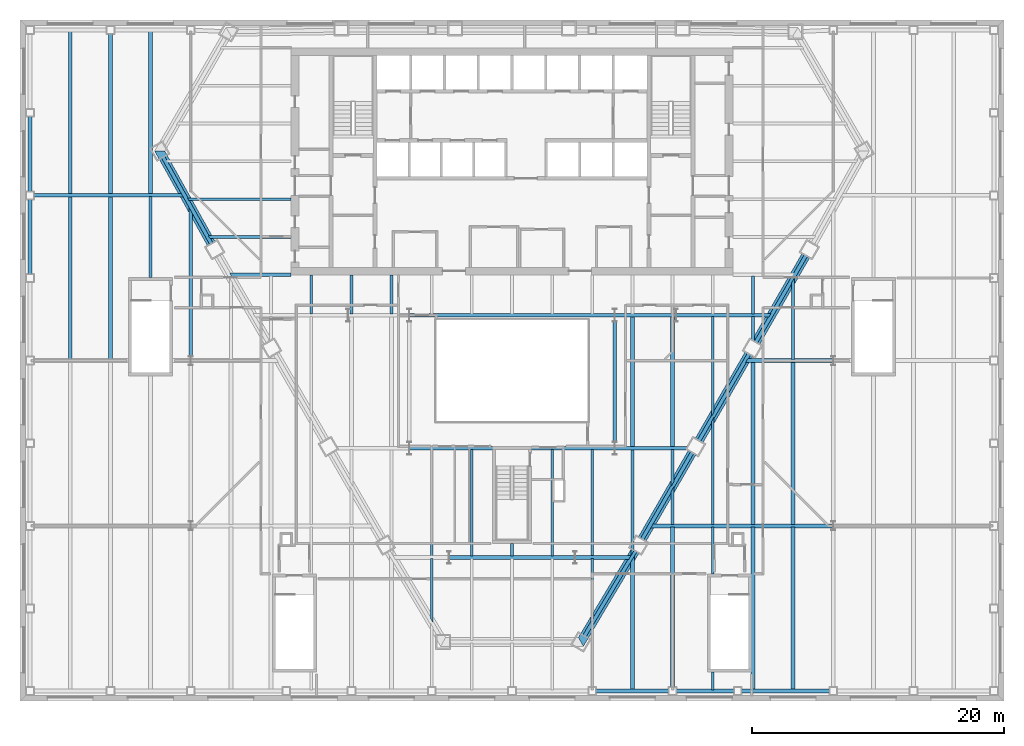
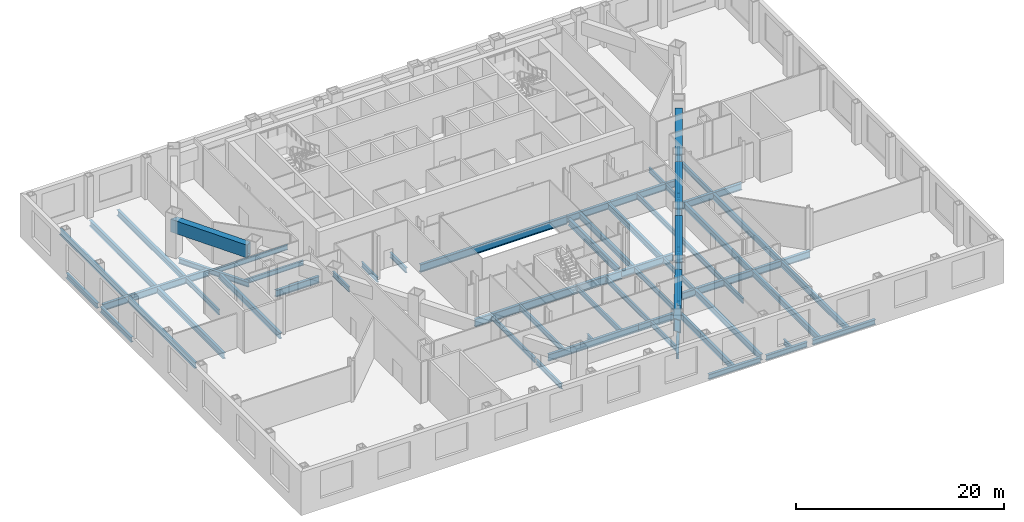
# One storey, part 5 of 17: 64 beams.
"""IFC4 building model written with IfcOpenShell, lengths in metres."""

import ifcopenshell
import ifcopenshell.guid

model = None  # the IFC model being written
_history = None  # IfcOwnerHistory: only IFC2X3 demands one
_inside = {}  # id of a spatial element -> (the spatial element, [elements in it])
_under = {}  # id of a project, library or spatial element -> (it, [spatial elements below it])
_declared = {}  # id of a project -> (the project, [libraries it declares])
_typed = {}  # id of a type object -> (the type object, [elements of that type])
_made_of = {}  # id of a material, layer set ... -> (it, [elements and type objects made of it])


def new_model(schema):
    """Start an empty IFC model of exactly this schema.

    Asked for "IFC4X3", IfcOpenShell would pick the latest addendum, in which some entities
    have other attributes; the version numbers below select the first issue.
    IFC2X3 requires an IfcOwnerHistory on every rooted entity: one is made here for all.
    """
    global model, _history
    if schema == "IFC4X3":
        model = ifcopenshell.file(schema_version=(4, 3, 0, 0))
    else:
        model = ifcopenshell.file(schema=schema)
    _inside.clear()
    _under.clear()
    _declared.clear()
    _typed.clear()
    _made_of.clear()
    _history = None
    if model.schema == "IFC2X3":
        org = make("IfcOrganization", Name="unknown")
        user = make(
            "IfcPersonAndOrganization",
            ThePerson=make("IfcPerson", FamilyName="unknown"),
            TheOrganization=org,
        )
        app = make(
            "IfcApplication",
            ApplicationDeveloper=org,
            Version="unknown",
            ApplicationFullName="unknown",
            ApplicationIdentifier="unknown",
        )
        _history = make(
            "IfcOwnerHistory",
            OwningUser=user,
            OwningApplication=app,
            ChangeAction="ADDED",
            CreationDate=0,
        )
    return model


def make(cls, **values):
    """One entity of the class cls with the attributes given. An attribute that is None is left unset."""
    return model.create_entity(
        cls, **{name: value for name, value in values.items() if value is not None}
    )


def rooted(cls, **values):
    """An entity with a GlobalId (a new one), such as an element, a storey or a relation."""
    return make(cls, GlobalId=ifcopenshell.guid.new(), OwnerHistory=_history, **values)


def si_unit(unit_type, name, prefix=None):
    """IfcSIUnit, for example si_unit("LENGTHUNIT", "METRE", prefix="MILLI")."""
    return make("IfcSIUnit", UnitType=unit_type, Prefix=prefix, Name=name)


def assignment(units):
    """IfcUnitAssignment: the units of a project."""
    return None if units is None else make("IfcUnitAssignment", Units=units)


def point(xyz):
    """IfcCartesianPoint."""
    return None if xyz is None else make("IfcCartesianPoint", Coordinates=xyz)


def direction(xyz):
    """IfcDirection."""
    return None if xyz is None else make("IfcDirection", DirectionRatios=xyz)


def frame(location, z_axis=None, x_axis=None):
    """IfcAxis2Placement3D, a coordinate frame: its origin and axes. An axis left out is left unset."""
    return make(
        "IfcAxis2Placement3D",
        Location=point(location),
        Axis=direction(z_axis),
        RefDirection=direction(x_axis),
    )


def frame_2d(location, x_axis=None):
    """IfcAxis2Placement2D, a coordinate frame in the plane: its origin and x axis."""
    return make(
        "IfcAxis2Placement2D", Location=point(location), RefDirection=direction(x_axis)
    )


def origin():
    """The frame at (0, 0, 0) with its axes left unset."""
    return frame((0.0, 0.0, 0.0))


def origin_2d():
    """The frame at (0, 0) in the plane with its x axis left unset."""
    return frame_2d((0.0, 0.0))


def place(relative_to, where):
    """IfcLocalPlacement: puts the frame where relative to a parent placement (None: the world)."""
    return make(
        "IfcLocalPlacement", PlacementRelTo=relative_to, RelativePlacement=where
    )


def context(
    kind, dimensions, precision=None, world=None, true_north=None, identifier=None
):
    """IfcGeometricRepresentationContext, for example the 3D "Model" context."""
    return make(
        "IfcGeometricRepresentationContext",
        ContextIdentifier=identifier,
        ContextType=kind,
        CoordinateSpaceDimension=dimensions,
        Precision=precision,
        WorldCoordinateSystem=world,
        TrueNorth=true_north,
    )


def subcontext(parent, identifier, kind, view, scale=None):
    """IfcGeometricRepresentationSubContext, for example "Body" below "Model"."""
    return make(
        "IfcGeometricRepresentationSubContext",
        ContextIdentifier=identifier,
        ContextType=kind,
        ParentContext=parent,
        TargetScale=scale,
        TargetView=view,
    )


def project(units=None, contexts=None):
    """IfcProject with its units and contexts."""
    return rooted(
        "IfcProject",
        Name="project",
        RepresentationContexts=contexts,
        UnitsInContext=assignment(units),
    )


def spatial(cls, under=None, at=None, **own):
    """A site, building, storey or space (cls), placed at a placement, below another one or the project."""
    s = rooted(cls, ObjectPlacement=at, **own)
    if under is not None:
        _under.setdefault(under.id(), (under, []))[1].append(s)
    return s


def profile(cls, at=None, kind="AREA", **sizes):
    """A parametric profile (cls). Its sizes go by their IFC names, for example OverallWidth=200.0."""
    return make(cls, ProfileType=kind, Position=at, **sizes)


def hollow_rectangle(**sizes):
    """IfcRectangleHollowProfileDef."""
    return profile("IfcRectangleHollowProfileDef", **sizes)


def i_section(**sizes):
    """IfcIShapeProfileDef."""
    return profile("IfcIShapeProfileDef", **sizes)


def extrude(swept, where, along, depth):
    """IfcExtrudedAreaSolid: the profile swept, set in the frame where, extruded along a direction by depth."""
    return make(
        "IfcExtrudedAreaSolid",
        SweptArea=swept,
        Position=where,
        ExtrudedDirection=direction(along),
        Depth=depth,
    )


def clip(a, b, op="DIFFERENCE"):
    """IfcBooleanClippingResult: the solid a cut by the half space b."""
    return make(
        "IfcBooleanClippingResult", Operator=op, FirstOperand=a, SecondOperand=b
    )


def halfspace(plane, agree):
    """IfcHalfSpaceSolid: all space on one side of the plane z = 0 of the frame plane."""
    return make(
        "IfcHalfSpaceSolid",
        BaseSurface=make("IfcPlane", Position=plane),
        AgreementFlag=agree,
    )


def shape(context_of_items, identifier, shape_type, items):
    """IfcShapeRepresentation: the items that make up one representation, for example the "Body"."""
    return make(
        "IfcShapeRepresentation",
        ContextOfItems=context_of_items,
        RepresentationIdentifier=identifier,
        RepresentationType=shape_type,
        Items=items,
    )


def material(Name=None, Category=None):
    """IfcMaterial."""
    return make("IfcMaterial", Name=Name, Category=Category)


def material_profile(
    of_material, cross_section, Name=None, Category=None, Priority=None
):
    """IfcMaterialProfile: a cross section and its material."""
    return make(
        "IfcMaterialProfile",
        Name=Name,
        Material=of_material,
        Profile=cross_section,
        Priority=Priority,
        Category=Category,
    )


def profile_set(profiles, Name=None, composite=None):
    """IfcMaterialProfileSet."""
    return make(
        "IfcMaterialProfileSet",
        Name=Name,
        MaterialProfiles=profiles,
        CompositeProfile=composite,
    )


def made_of(thing, what):
    """Note that an element or type object is made of a material, layer set ...; save() writes the relation."""
    if what is not None:
        _made_of.setdefault(what.id(), (what, []))[1].append(thing)
    return thing


def type_object(cls, material=None, **own):
    """A type object (cls), such as IfcWallType, which elements share."""
    return made_of(rooted(cls, **own), material)


def element(
    cls,
    number,
    at=None,
    inside=None,
    cuts=None,
    type_object=None,
    material=None,
    context=None,
    identifier="Body",
    shape_type=None,
    held_by="IfcProductDefinitionShape",
    body=None,
    shapes=None,
    **own,
):
    """One element of the class cls, such as IfcWall. Its Tag is "e" and its number.

    at: its placement. inside: the storey or other place that contains it. cuts: it is an
    opening in that element (IfcRelVoidsElement). A single representation is given by context,
    identifier, shape_type and body (its items); several are given by shapes. held_by: the class
    of the entity that holds the representations. save() writes the other relations.
    """
    e = rooted(cls, Tag="e%d" % number, ObjectPlacement=at, **own)
    if body is not None:
        shapes = [shape(context, identifier, shape_type, body)]
    if shapes is not None:
        e.Representation = make(held_by, Representations=shapes)
    if inside is not None:
        _inside.setdefault(inside.id(), (inside, []))[1].append(e)
    if cuts is not None:
        rooted(
            "IfcRelVoidsElement", RelatingBuildingElement=cuts, RelatedOpeningElement=e
        )
    if type_object is not None:
        _typed.setdefault(type_object.id(), (type_object, []))[1].append(e)
    return made_of(e, material)


def aggregate(whole, parts):
    """IfcRelAggregates: a whole, such as a stair, and the parts it consists of."""
    return rooted("IfcRelAggregates", RelatingObject=whole, RelatedObjects=parts)


def save(model, path):
    """Write the relations noted so far, then the file.

    IfcRelAggregates (storeys below a building ...), IfcRelContainedInSpatialStructure (elements
    in a storey), IfcRelDefinesByType, IfcRelAssociatesMaterial and IfcRelDeclares: one each for
    every whole, place, type object, material and project.
    """
    for whole, parts in _under.values():
        aggregate(whole, parts)
    for where, things in _inside.values():
        rooted(
            "IfcRelContainedInSpatialStructure",
            RelatedElements=things,
            RelatingStructure=where,
        )
    for kind, things in _typed.values():
        rooted("IfcRelDefinesByType", RelatedObjects=things, RelatingType=kind)
    for what, things in _made_of.values():
        rooted("IfcRelAssociatesMaterial", RelatedObjects=things, RelatingMaterial=what)
    for by, libraries in _declared.values():
        rooted("IfcRelDeclares", RelatingContext=by, RelatedDefinitions=libraries)
    model.write(path)


model = new_model("IFC4")

# Units and contexts
model_context = context("Model", 3, precision=1e-05, world=origin(), true_north=direction((0.0, 1.0)))
body_context = subcontext(model_context, "Body", "Model", "MODEL_VIEW")
ifc_project = project(units=[si_unit("LENGTHUNIT", "METRE"), si_unit("AREAUNIT", "SQUARE_METRE"), si_unit("VOLUMEUNIT", "CUBIC_METRE"), si_unit("PLANEANGLEUNIT", "RADIAN"), si_unit("MASSUNIT", "GRAM", prefix="KILO")], contexts=[model_context])

# Site, building, storey
site_placement = place(None, origin())
site = spatial("IfcSite", under=ifc_project, at=site_placement, CompositionType="ELEMENT")
building_placement = place(site_placement, origin())
building = spatial("IfcBuilding", under=site, at=building_placement, Name="Njiva Tower", CompositionType="ELEMENT")
storey_placement = place(building_placement, frame((0.0, 0.0, 23.7)))
storey = spatial("IfcBuildingStorey", under=building, at=storey_placement, Name="L04", CompositionType="ELEMENT", Elevation=23.7)

# Beams
ifc_material = material(Name="Steel S355 J2", Category="steel")
ifc_material_profile_1 = material_profile(ifc_material, i_section(OverallWidth=0.21, OverallDepth=0.55, WebThickness=0.0111, FlangeThickness=0.0172, at=origin_2d()), Name="IPE 550")
ifc_profile_set_1 = profile_set([ifc_material_profile_1], Name="Steel S355 J2")
beam_type_1 = type_object("IfcBeamType", Name="B10 Floor beam to the core IPE 550", PredefinedType="BEAM", material=ifc_profile_set_1)
beam_1_placement = place(storey_placement, frame((-24.091, 3.0, -0.495), z_axis=(1.0, 0.0, 0.0), x_axis=(0.0, 1.0, 0.0)))
element("IfcBeam", 1, at=beam_1_placement, inside=storey, type_object=beam_type_1, Name="Floor beam to the core L04-B005", PredefinedType="BEAM", context=body_context, shape_type="Clipping", body=[
    clip(extrude(i_section(OverallWidth=0.21, OverallDepth=0.55, WebThickness=0.0111, FlangeThickness=0.0172, at=origin_2d()), origin(), (0.0, 0.0, 1.0), 6.591), halfspace(frame((-0.0244, 0.0, 0.0929), z_axis=(-0.487051738924, 0.0, -0.87337311821), x_axis=(0.0, -1.0, 0.0)), False)),
])
beam_2_placement = place(storey_placement, frame((-25.764, 6.0, -0.495), z_axis=(1.0, 0.0, 0.0), x_axis=(0.0, 1.0, 0.0)))
element("IfcBeam", 2, at=beam_2_placement, inside=storey, type_object=beam_type_1, Name="Floor beam to the core L04-B003", PredefinedType="BEAM", context=body_context, shape_type="Clipping", body=[
    clip(extrude(i_section(OverallWidth=0.21, OverallDepth=0.55, WebThickness=0.0111, FlangeThickness=0.0172, at=origin_2d()), origin(), (0.0, 0.0, 1.0), 8.264), halfspace(frame((-0.0244, 0.0, 0.093), z_axis=(-0.487051738924, 0.0, -0.87337311821), x_axis=(0.0, -1.0, 0.0)), False)),
])
ifc_material_profile_2 = material_profile(ifc_material, i_section(OverallWidth=0.3, OverallDepth=0.69, WebThickness=0.0145, FlangeThickness=0.027, at=origin_2d()), Name="HEA 700")
ifc_profile_set_2 = profile_set([ifc_material_profile_2], Name="Steel S355 J2")
beam_type_2 = type_object("IfcBeamType", Name="B12 Long-span floor joist HEA 700", PredefinedType="JOIST", material=ifc_profile_set_2)
for number, where, z_axis, x_axis, name in (
    (3, (-35.017, 19.3, -0.565), (0.0, -1.0, 0.0), (1.0, 0.0, 0.0), "Long-span floor joist L04-B039"),
    (4, (-35.017, 6.2, -0.565), (0.0, -1.0, 0.0), (1.0, 0.0, 0.0), "Long-span floor joist L04-B038"),
):
    element("IfcBeam", number, at=place(storey_placement, frame(where, z_axis=z_axis, x_axis=x_axis)), inside=storey, type_object=beam_type_2, Name=name, PredefinedType="JOIST", context=body_context, shape_type="SweptSolid", body=[
        extrude(i_section(OverallWidth=0.3, OverallDepth=0.69, WebThickness=0.0145, FlangeThickness=0.027, at=origin_2d()), origin(), (0.0, 0.0, 1.0), 12.9),
    ])
beam_3_placement = place(storey_placement, frame((-31.833, 19.1, -0.565), z_axis=(0.0, -1.0, 0.0), x_axis=(1.0, 0.0, 0.0)))
element("IfcBeam", 5, at=beam_3_placement, inside=storey, type_object=beam_type_2, Name="Long-span floor joist L04-B043", PredefinedType="JOIST", context=body_context, shape_type="SweptSolid", body=[
    extrude(i_section(OverallWidth=0.3, OverallDepth=0.69, WebThickness=0.0145, FlangeThickness=0.027, at=origin_2d()), origin(), (0.0, 0.0, 1.0), 12.7),
])
for number, where, z_axis, x_axis, name in (
    (6, (-31.833, 6.2, -0.565), (0.0, -1.0, 0.0), (1.0, 0.0, 0.0), "Long-span floor joist L04-B042"),
    (7, (-28.65, 19.3, -0.565), (0.0, -1.0, 0.0), (1.0, 0.0, 0.0), "Long-span floor joist L04-B047"),
):
    element("IfcBeam", number, at=place(storey_placement, frame(where, z_axis=z_axis, x_axis=x_axis)), inside=storey, type_object=beam_type_2, Name=name, PredefinedType="JOIST", context=body_context, shape_type="SweptSolid", body=[
        extrude(i_section(OverallWidth=0.3, OverallDepth=0.69, WebThickness=0.0145, FlangeThickness=0.027, at=origin_2d()), origin(), (0.0, 0.0, 1.0), 12.9),
    ])
beam_4_placement = place(storey_placement, frame((-25.467, 5.288, -0.565), z_axis=(0.0, -1.0, 0.0), x_axis=(1.0, 0.0, 0.0)))
element("IfcBeam", 8, at=beam_4_placement, inside=storey, type_object=beam_type_2, Name="Long-span floor joist L04-B050", PredefinedType="JOIST", context=body_context, shape_type="SweptSolid", body=[
    extrude(i_section(OverallWidth=0.3, OverallDepth=0.69, WebThickness=0.0145, FlangeThickness=0.027, at=origin_2d()), origin(), (0.0, 0.0, 1.0), 11.78),
])
beam_5_placement = place(storey_placement, frame((9.55, -3.3, -0.565), z_axis=(0.0, -1.0, 0.0), x_axis=(1.0, 0.0, 0.0)))
element("IfcBeam", 9, at=beam_5_placement, inside=storey, type_object=beam_type_2, Name="Long-span floor joist L04-B095", PredefinedType="JOIST", context=body_context, shape_type="SweptSolid", body=[
    extrude(i_section(OverallWidth=0.3, OverallDepth=0.69, WebThickness=0.0145, FlangeThickness=0.027, at=origin_2d()), origin(), (0.0, 0.0, 1.0), 10.35),
])
beam_6_placement = place(storey_placement, frame((9.55, -22.243, -0.565), z_axis=(0.0, -1.0, 0.0), x_axis=(1.0, 0.0, 0.0)))
element("IfcBeam", 10, at=beam_6_placement, inside=storey, type_object=beam_type_2, Name="Long-span floor joist L04-B093", PredefinedType="JOIST", context=body_context, shape_type="Clipping", body=[
    clip(extrude(i_section(OverallWidth=0.3, OverallDepth=0.69, WebThickness=0.0145, FlangeThickness=0.027, at=origin_2d()), origin(), (0.0, 0.0, 1.0), 10.657), halfspace(frame((-0.0429, 0.0, 0.2758), z_axis=(-0.858483100847, 0.0, -0.512841852388), x_axis=(0.0, -1.0, 0.0)), False)),
])
beam_7_placement = place(storey_placement, frame((12.733, -3.3, -0.565), z_axis=(0.0, -1.0, 0.0), x_axis=(1.0, 0.0, 0.0)))
element("IfcBeam", 11, at=beam_7_placement, inside=storey, type_object=beam_type_2, Name="Long-span floor joist L04-B100", PredefinedType="JOIST", context=body_context, shape_type="SweptSolid", body=[
    extrude(i_section(OverallWidth=0.3, OverallDepth=0.69, WebThickness=0.0145, FlangeThickness=0.027, at=origin_2d()), origin(), (0.0, 0.0, 1.0), 10.35),
])
beam_8_placement = place(storey_placement, frame((12.733, -20.001, -0.565), z_axis=(0.0, -1.0, 0.0), x_axis=(1.0, 0.0, 0.0)))
element("IfcBeam", 12, at=beam_8_placement, inside=storey, type_object=beam_type_2, Name="Long-span floor joist L04-B097", PredefinedType="JOIST", context=body_context, shape_type="SweptSolid", body=[
    extrude(i_section(OverallWidth=0.3, OverallDepth=0.69, WebThickness=0.0145, FlangeThickness=0.027, at=origin_2d()), origin(), (0.0, 0.0, 1.0), 12.699),
])
for number, where, z_axis, x_axis, name in (
    (13, (19.1, -6.9, -0.565), (0.0, -1.0, 0.0), (1.0, 0.0, 0.0), "Long-span floor joist L04-B108"),
    (14, (19.1, -20.001, -0.565), (0.0, -1.0, 0.0), (1.0, 0.0, 0.0), "Long-span floor joist L04-B107"),
    (15, (22.283, -6.9, -0.565), (0.0, -1.0, 0.0), (1.0, 0.0, 0.0), "Long-span floor joist L04-B112"),
    (16, (22.283, -20.001, -0.565), (0.0, -1.0, 0.0), (1.0, 0.0, 0.0), "Long-span floor joist L04-B111"),
):
    element("IfcBeam", number, at=place(storey_placement, frame(where, z_axis=z_axis, x_axis=x_axis)), inside=storey, type_object=beam_type_2, Name=name, PredefinedType="JOIST", context=body_context, shape_type="SweptSolid", body=[
        extrude(i_section(OverallWidth=0.3, OverallDepth=0.69, WebThickness=0.0145, FlangeThickness=0.027, at=origin_2d()), origin(), (0.0, 0.0, 1.0), 12.899),
    ])
ifc_material_profile_3 = material_profile(ifc_material, i_section(OverallWidth=0.22, OverallDepth=0.6, WebThickness=0.012, FlangeThickness=0.019, at=origin_2d()), Name="IPE 600")
ifc_profile_set_3 = profile_set([ifc_material_profile_3], Name="Steel S355 J2")
beam_type_3 = type_object("IfcBeamType", Name="B13 Floor joist IPE 600", PredefinedType="JOIST", material=ifc_profile_set_3)
beam_9_placement = place(storey_placement, frame((-28.65, 6.2, -0.52), z_axis=(0.0, -1.0, 0.0), x_axis=(1.0, 0.0, 0.0)))
element("IfcBeam", 17, at=beam_9_placement, inside=storey, type_object=beam_type_3, Name="Floor joist L04-B046", PredefinedType="JOIST", context=body_context, shape_type="SweptSolid", body=[
    extrude(i_section(OverallWidth=0.22, OverallDepth=0.6, WebThickness=0.012, FlangeThickness=0.019, at=origin_2d()), origin(), (0.0, 0.0, 1.0), 6.4),
])
beam_10_placement = place(storey_placement, frame((-6.367, -13.851, -0.52), z_axis=(0.0, -1.0, 0.0), x_axis=(1.0, 0.0, 0.0)))
element("IfcBeam", 18, at=beam_10_placement, inside=storey, type_object=beam_type_3, Name="Floor joist L04-B075", PredefinedType="JOIST", context=body_context, shape_type="SweptSolid", body=[
    extrude(i_section(OverallWidth=0.22, OverallDepth=0.6, WebThickness=0.012, FlangeThickness=0.019, at=origin_2d()), origin(), (0.0, 0.0, 1.0), 8.449),
])
beam_11_placement = place(storey_placement, frame((-6.367, -22.5, -0.52), z_axis=(0.0, -1.0, 0.0), x_axis=(1.0, 0.0, 0.0)))
element("IfcBeam", 19, at=beam_11_placement, inside=storey, type_object=beam_type_3, Name="Floor joist L04-B074", PredefinedType="JOIST", context=body_context, shape_type="Clipping", body=[
    clip(extrude(i_section(OverallWidth=0.22, OverallDepth=0.6, WebThickness=0.012, FlangeThickness=0.019, at=origin_2d()), origin(), (0.0, 0.0, 1.0), 5.09), halfspace(frame((-0.0426, 0.0, 4.8139), z_axis=(-0.858483100847, 0.0, 0.512841852388), x_axis=(0.0, 1.0, 0.0)), False)),
])
for number, where, z_axis, x_axis, name in (
    (20, (-3.183, -13.851, -0.52), (0.0, -1.0, 0.0), (1.0, 0.0, 0.0), "Floor joist L04-B079"),
    (21, (3.183, -13.851, -0.52), (0.0, -1.0, 0.0), (1.0, 0.0, 0.0), "Floor joist L04-B087"),
    (22, (6.367, -13.851, -0.52), (0.0, -1.0, 0.0), (1.0, 0.0, 0.0), "Floor joist L04-B091"),
):
    element("IfcBeam", number, at=place(storey_placement, frame(where, z_axis=z_axis, x_axis=x_axis)), inside=storey, type_object=beam_type_3, Name=name, PredefinedType="JOIST", context=body_context, shape_type="SweptSolid", body=[
        extrude(i_section(OverallWidth=0.22, OverallDepth=0.6, WebThickness=0.012, FlangeThickness=0.019, at=origin_2d()), origin(), (0.0, 0.0, 1.0), 8.449),
    ])
beam_12_placement = place(storey_placement, frame((6.367, -22.5, -0.52), z_axis=(0.0, -1.0, 0.0), x_axis=(1.0, 0.0, 0.0)))
element("IfcBeam", 23, at=beam_12_placement, inside=storey, type_object=beam_type_3, Name="Floor joist L04-B090", PredefinedType="JOIST", context=body_context, shape_type="Clipping", body=[
    clip(extrude(i_section(OverallWidth=0.22, OverallDepth=0.6, WebThickness=0.012, FlangeThickness=0.019, at=origin_2d()), origin(), (0.0, 0.0, 1.0), 5.09), halfspace(frame((0.0426, 0.0, 4.8139), z_axis=(0.858483100847, 0.0, 0.512841852388), x_axis=(0.0, 1.0, 0.0)), False)),
])
beam_13_placement = place(storey_placement, frame((9.55, -13.85, -0.52), z_axis=(0.0, -1.0, 0.0), x_axis=(1.0, 0.0, 0.0)))
element("IfcBeam", 24, at=beam_13_placement, inside=storey, type_object=beam_type_3, Name="Floor joist L04-B094", PredefinedType="JOIST", context=body_context, shape_type="Clipping", body=[
    clip(extrude(i_section(OverallWidth=0.22, OverallDepth=0.6, WebThickness=0.012, FlangeThickness=0.019, at=origin_2d()), origin(), (0.0, 0.0, 1.0), 8.411), halfspace(frame((0.0429, 0.0, 8.1351), z_axis=(0.858483100847, 0.0, 0.512841852388), x_axis=(0.0, 1.0, 0.0)), False)),
])
beam_14_placement = place(storey_placement, frame((15.917, -3.3, -0.52), z_axis=(0.0, -1.0, 0.0), x_axis=(1.0, 0.0, 0.0)))
element("IfcBeam", 25, at=beam_14_placement, inside=storey, type_object=beam_type_3, Name="Floor joist L04-B105", PredefinedType="JOIST", context=body_context, shape_type="Clipping", body=[
    clip(extrude(i_section(OverallWidth=0.22, OverallDepth=0.6, WebThickness=0.012, FlangeThickness=0.019, at=origin_2d()), origin(), (0.0, 0.0, 1.0), 7.964), halfspace(frame((0.043, 0.0, 7.6783), z_axis=(0.866026552831, 0.0, 0.499998009787), x_axis=(0.0, 1.0, 0.0)), False)),
])
beam_15_placement = place(storey_placement, frame((15.917, -11.242, -0.52), z_axis=(0.0, -1.0, 0.0), x_axis=(1.0, 0.0, 0.0)))
element("IfcBeam", 26, at=beam_15_placement, inside=storey, type_object=beam_type_3, Name="Floor joist L04-B104", PredefinedType="JOIST", context=body_context, shape_type="Clipping", body=[
    clip(extrude(i_section(OverallWidth=0.22, OverallDepth=0.6, WebThickness=0.012, FlangeThickness=0.019, at=origin_2d()), origin(), (0.0, 0.0, 1.0), 8.557), halfspace(frame((-0.0436, 0.0, 0.2863), z_axis=(-0.866026552831, 0.0, -0.499998009787), x_axis=(0.0, -1.0, 0.0)), False)),
])
beam_16_placement = place(storey_placement, frame((22.283, -0.215, -0.52), z_axis=(0.0, -1.0, 0.0), x_axis=(1.0, 0.0, 0.0)))
element("IfcBeam", 27, at=beam_16_placement, inside=storey, type_object=beam_type_3, Name="Floor joist L04-B113", PredefinedType="JOIST", context=body_context, shape_type="Clipping", body=[
    clip(extrude(i_section(OverallWidth=0.22, OverallDepth=0.6, WebThickness=0.012, FlangeThickness=0.019, at=origin_2d()), origin(), (0.0, 0.0, 1.0), 6.485), halfspace(frame((-0.043, 0.0, 0.2859), z_axis=(-0.866026552831, 0.0, -0.499998009787), x_axis=(0.0, -1.0, 0.0)), False)),
])
ifc_material_profile_4 = material_profile(ifc_material, i_section(OverallWidth=0.22, OverallDepth=0.6, WebThickness=0.012, FlangeThickness=0.019, at=origin_2d()), Name="IPE 600")
ifc_profile_set_4 = profile_set([ifc_material_profile_4], Name="Steel S355 J2")
beam_type_4 = type_object("IfcBeamType", Name="B14 Short-span floor joist IPE 600", PredefinedType="JOIST", material=ifc_profile_set_4)
for number, where, z_axis, x_axis, name in (
    (28, (-15.917, -0.005, -0.52), (0.0, -1.0, 0.0), (1.0, 0.0, 0.0), "Short-span floor joist L04-B063"),
    (29, (-12.733, -0.005, -0.52), (0.0, -1.0, 0.0), (1.0, 0.0, 0.0), "Short-span floor joist L04-B068"),
    (30, (-9.55, -0.005, -0.52), (0.0, -1.0, 0.0), (1.0, 0.0, 0.0), "Short-span floor joist L04-B072"),
):
    element("IfcBeam", number, at=place(storey_placement, frame(where, z_axis=z_axis, x_axis=x_axis)), inside=storey, type_object=beam_type_4, Name=name, PredefinedType="JOIST", context=body_context, shape_type="SweptSolid", body=[
        extrude(i_section(OverallWidth=0.22, OverallDepth=0.6, WebThickness=0.012, FlangeThickness=0.019, at=origin_2d()), origin(), (0.0, 0.0, 1.0), 3.095),
    ])
beam_17_placement = place(storey_placement, frame((0.0, -21.3, -0.52), z_axis=(0.0, -1.0, 0.0), x_axis=(1.0, 0.0, 0.0)))
element("IfcBeam", 31, at=beam_17_placement, inside=storey, type_object=beam_type_4, Name="Short-span floor joist L04-B083", PredefinedType="JOIST", context=body_context, shape_type="SweptSolid", body=[
    extrude(i_section(OverallWidth=0.22, OverallDepth=0.6, WebThickness=0.012, FlangeThickness=0.019, at=origin_2d()), origin(), (0.0, 0.0, 1.0), 1.0),
])
beam_18_placement = place(storey_placement, frame((12.733, -13.85, -0.52), z_axis=(0.0, -1.0, 0.0), x_axis=(1.0, 0.0, 0.0)))
element("IfcBeam", 32, at=beam_18_placement, inside=storey, type_object=beam_type_4, Name="Short-span floor joist L04-B099", PredefinedType="JOIST", context=body_context, shape_type="Clipping", body=[
    clip(extrude(i_section(OverallWidth=0.22, OverallDepth=0.6, WebThickness=0.012, FlangeThickness=0.019, at=origin_2d()), origin(), (0.0, 0.0, 1.0), 2.928), halfspace(frame((0.0436, 0.0, 2.642), z_axis=(0.866026552831, 0.0, 0.499998009787), x_axis=(0.0, 1.0, 0.0)), False)),
])
beam_19_placement = place(storey_placement, frame((12.733, -16.756, -0.52), z_axis=(0.0, -1.0, 0.0), x_axis=(1.0, 0.0, 0.0)))
element("IfcBeam", 33, at=beam_19_placement, inside=storey, type_object=beam_type_4, Name="Short-span floor joist L04-B098", PredefinedType="JOIST", context=body_context, shape_type="Clipping", body=[
    clip(extrude(i_section(OverallWidth=0.22, OverallDepth=0.6, WebThickness=0.012, FlangeThickness=0.019, at=origin_2d()), origin(), (0.0, 0.0, 1.0), 3.043), halfspace(frame((-0.043, 0.0, 0.286), z_axis=(-0.866026552831, 0.0, -0.499998009787), x_axis=(0.0, -1.0, 0.0)), False)),
])
beam_20_placement = place(storey_placement, frame((15.917, -20.001, -0.52), z_axis=(0.0, -1.0, 0.0), x_axis=(1.0, 0.0, 0.0)))
element("IfcBeam", 34, at=beam_20_placement, inside=storey, type_object=beam_type_4, Name="Short-span floor joist L04-B103", PredefinedType="JOIST", context=body_context, shape_type="SweptSolid", body=[
    extrude(i_section(OverallWidth=0.22, OverallDepth=0.6, WebThickness=0.012, FlangeThickness=0.019, at=origin_2d()), origin(), (0.0, 0.0, 1.0), 3.699),
])
beam_21_placement = place(storey_placement, frame((15.917, -31.5, -0.52), z_axis=(0.0, -1.0, 0.0), x_axis=(1.0, 0.0, 0.0)))
element("IfcBeam", 35, at=beam_21_placement, inside=storey, type_object=beam_type_4, Name="Short-span floor joist L04-B102", PredefinedType="JOIST", context=body_context, shape_type="SweptSolid", body=[
    extrude(i_section(OverallWidth=0.22, OverallDepth=0.6, WebThickness=0.012, FlangeThickness=0.019, at=origin_2d()), origin(), (0.0, 0.0, 1.0), 1.4),
])
beam_22_placement = place(storey_placement, frame((19.1, -0.1, -0.52), z_axis=(0.0, -1.0, 0.0), x_axis=(1.0, 0.0, 0.0)))
element("IfcBeam", 36, at=beam_22_placement, inside=storey, type_object=beam_type_4, Name="Short-span floor joist L04-B110", PredefinedType="JOIST", context=body_context, shape_type="SweptSolid", body=[
    extrude(i_section(OverallWidth=0.22, OverallDepth=0.6, WebThickness=0.012, FlangeThickness=0.019, at=origin_2d()), origin(), (0.0, 0.0, 1.0), 3.0),
])
beam_23_placement = place(storey_placement, frame((19.1, -3.3, -0.52), z_axis=(0.0, -1.0, 0.0), x_axis=(1.0, 0.0, 0.0)))
element("IfcBeam", 37, at=beam_23_placement, inside=storey, type_object=beam_type_4, Name="Short-span floor joist L04-B109", PredefinedType="JOIST", context=body_context, shape_type="Clipping", body=[
    clip(extrude(i_section(OverallWidth=0.22, OverallDepth=0.6, WebThickness=0.012, FlangeThickness=0.019, at=origin_2d()), origin(), (0.0, 0.0, 1.0), 1.978), halfspace(frame((-0.025, 0.0, 1.88), z_axis=(-0.499998009787, 0.0, 0.866026552831), x_axis=(0.0, 1.0, 0.0)), False)),
])
ifc_material_profile_5 = material_profile(ifc_material, i_section(OverallWidth=0.3, OverallDepth=0.6, WebThickness=0.0155, FlangeThickness=0.03, at=origin_2d()), Name="HEB 600")
ifc_profile_set_5 = profile_set([ifc_material_profile_5], Name="Steel S355 J2")
beam_type_5 = type_object("IfcBeamType", Name="B2 Spandrel beam HEB 600", PredefinedType="SPANDREL", material=ifc_profile_set_5)
beam_24_placement = place(storey_placement, frame((-27.654, 9.326, -0.52), z_axis=(0.487083289159, -0.873355522924, 0.0), x_axis=(0.873355522924, 0.487083289159, 0.0)))
element("IfcBeam", 38, at=beam_24_placement, inside=storey, type_object=beam_type_5, Name="Spandrel beam L04-B146", PredefinedType="SPANDREL", context=body_context, shape_type="SweptSolid", body=[
    extrude(i_section(OverallWidth=0.3, OverallDepth=0.6, WebThickness=0.0155, FlangeThickness=0.03, at=origin_2d()), origin(), (0.0, 0.0, 1.0), 7.8364),
])
beam_25_placement = place(storey_placement, frame((5.744, -28.623, -0.52), z_axis=(0.512880901609, 0.858459772362, 0.0), x_axis=(-0.858459772362, 0.512880901609, 0.0)))
element("IfcBeam", 39, at=beam_25_placement, inside=storey, type_object=beam_type_5, Name="Spandrel beam L04-B164", PredefinedType="SPANDREL", context=body_context, shape_type="SweptSolid", body=[
    extrude(i_section(OverallWidth=0.3, OverallDepth=0.6, WebThickness=0.0155, FlangeThickness=0.03, at=origin_2d()), origin(), (0.0, 0.0, 1.0), 7.8361),
])
beam_26_placement = place(storey_placement, frame((10.321, -20.946, -0.52), z_axis=(0.499930249268, 0.866065670643, 0.0), x_axis=(-0.866065670643, 0.499930249268, 0.0)))
element("IfcBeam", 40, at=beam_26_placement, inside=storey, type_object=beam_type_5, Name="Spandrel beam L04-B167", PredefinedType="SPANDREL", context=body_context, shape_type="SweptSolid", body=[
    extrude(i_section(OverallWidth=0.3, OverallDepth=0.6, WebThickness=0.0155, FlangeThickness=0.03, at=origin_2d()), origin(), (0.0, 0.0, 1.0), 7.9151),
])
beam_27_placement = place(storey_placement, frame((14.828, -13.139, -0.52), z_axis=(0.499970304126, 0.866042548026, 0.0), x_axis=(-0.866042548026, 0.499970304126, 0.0)))
element("IfcBeam", 41, at=beam_27_placement, inside=storey, type_object=beam_type_5, Name="Spandrel beam L04-B170", PredefinedType="SPANDREL", context=body_context, shape_type="SweptSolid", body=[
    extrude(i_section(OverallWidth=0.3, OverallDepth=0.6, WebThickness=0.0155, FlangeThickness=0.03, at=origin_2d()), origin(), (0.0, 0.0, 1.0), 7.9165),
])
beam_28_placement = place(storey_placement, frame((19.336, -5.331, -0.52), z_axis=(0.500025004646, 0.866010966864, 0.0), x_axis=(-0.866010966864, 0.500025004646, 0.0)))
element("IfcBeam", 42, at=beam_28_placement, inside=storey, type_object=beam_type_5, Name="Spandrel beam L04-B172", PredefinedType="SPANDREL", context=body_context, shape_type="SweptSolid", body=[
    extrude(i_section(OverallWidth=0.3, OverallDepth=0.6, WebThickness=0.0155, FlangeThickness=0.03, at=origin_2d()), origin(), (0.0, 0.0, 1.0), 7.9156),
])
for number, where, z_axis, x_axis, name in (
    (43, (-38.2, 12.55, -0.52), (0.0, -1.0, 0.0), (1.0, 0.0, 0.0), "Spandrel beam L04-B140"),
    (44, (-38.2, 6.0, -0.52), (0.0, -1.0, 0.0), (1.0, 0.0, 0.0), "Spandrel beam L04-B139"),
):
    element("IfcBeam", number, at=place(storey_placement, frame(where, z_axis=z_axis, x_axis=x_axis)), inside=storey, type_object=beam_type_5, Name=name, PredefinedType="SPANDREL", context=body_context, shape_type="SweptSolid", body=[
        extrude(i_section(OverallWidth=0.3, OverallDepth=0.6, WebThickness=0.0155, FlangeThickness=0.03, at=origin_2d()), origin(), (0.0, 0.0, 1.0), 5.95),
    ])
beam_29_placement = place(storey_placement, frame((6.667, -33.0, -0.52), z_axis=(1.0, 0.0, 0.0), x_axis=(0.0, 1.0, 0.0)))
element("IfcBeam", 45, at=beam_29_placement, inside=storey, type_object=beam_type_5, Name="Spandrel beam L04-B165", PredefinedType="SPANDREL", context=body_context, shape_type="SweptSolid", body=[
    extrude(i_section(OverallWidth=0.3, OverallDepth=0.6, WebThickness=0.0155, FlangeThickness=0.03, at=origin_2d()), origin(), (0.0, 0.0, 1.0), 5.766),
])
beam_30_placement = place(storey_placement, frame((13.033, -33.0, -0.52), z_axis=(1.0, 0.0, 0.0), x_axis=(0.0, 1.0, 0.0)))
element("IfcBeam", 46, at=beam_30_placement, inside=storey, type_object=beam_type_5, Name="Spandrel beam L04-B168", PredefinedType="SPANDREL", context=body_context, shape_type="SweptSolid", body=[
    extrude(i_section(OverallWidth=0.3, OverallDepth=0.6, WebThickness=0.0155, FlangeThickness=0.03, at=origin_2d()), origin(), (0.0, 0.0, 1.0), 4.567),
])
beam_31_placement = place(storey_placement, frame((18.2, -33.0, -0.52), z_axis=(1.0, 0.0, 0.0), x_axis=(0.0, 1.0, 0.0)))
element("IfcBeam", 47, at=beam_31_placement, inside=storey, type_object=beam_type_5, Name="Spandrel beam L04-B171", PredefinedType="SPANDREL", context=body_context, shape_type="SweptSolid", body=[
    extrude(i_section(OverallWidth=0.3, OverallDepth=0.6, WebThickness=0.0155, FlangeThickness=0.03, at=origin_2d()), origin(), (0.0, 0.0, 1.0), 6.967),
])
ifc_material_profile_6 = material_profile(ifc_material, i_section(OverallWidth=0.3, OverallDepth=0.79, WebThickness=0.015, FlangeThickness=0.028, at=origin_2d()), Name="HEA 800")
ifc_profile_set_6 = profile_set([ifc_material_profile_6], Name="Steel S355 J2")
beam_type_6 = type_object("IfcBeamType", Name="B4 Floor girder HEA 800", PredefinedType="BEAM", material=ifc_profile_set_6)
beam_32_placement = place(storey_placement, frame((8.15, -3.2, -0.615), z_axis=(1.0, 0.0, 0.0), x_axis=(0.0, 1.0, 0.0)))
element("IfcBeam", 48, at=beam_32_placement, inside=storey, type_object=beam_type_6, Name="Floor girder L04-B027", PredefinedType="BEAM", context=body_context, shape_type="SweptSolid", body=[
    extrude(i_section(OverallWidth=0.3, OverallDepth=0.79, WebThickness=0.015, FlangeThickness=0.028, at=origin_2d()), origin(), (0.0, 0.0, 1.0), 4.85),
])
beam_33_placement = place(storey_placement, frame((13.0, -3.2, -0.615), z_axis=(1.0, 0.0, 0.0), x_axis=(0.0, 1.0, 0.0)))
element("IfcBeam", 49, at=beam_33_placement, inside=storey, type_object=beam_type_6, Name="Floor girder L04-B029", PredefinedType="BEAM", context=body_context, shape_type="Clipping", body=[
    clip(extrude(i_section(OverallWidth=0.3, OverallDepth=0.79, WebThickness=0.015, FlangeThickness=0.028, at=origin_2d()), origin(), (0.0, 0.0, 1.0), 7.558), halfspace(frame((-0.025, 0.0, 7.4363), z_axis=(-0.499998009787, 0.0, 0.866026552831), x_axis=(0.0, 1.0, 0.0)), False)),
])
beam_34_placement = place(storey_placement, frame((8.15, -13.75, -0.615), z_axis=(1.0, 0.0, 0.0), x_axis=(0.0, 1.0, 0.0)))
element("IfcBeam", 50, at=beam_34_placement, inside=storey, type_object=beam_type_6, Name="Floor girder L04-B026", PredefinedType="BEAM", context=body_context, shape_type="Clipping", body=[
    clip(extrude(i_section(OverallWidth=0.3, OverallDepth=0.79, WebThickness=0.015, FlangeThickness=0.028, at=origin_2d()), origin(), (0.0, 0.0, 1.0), 5.797), halfspace(frame((-0.025, 0.0, 5.6755), z_axis=(-0.499998009787, 0.0, 0.866026552831), x_axis=(0.0, 1.0, 0.0)), False)),
])
beam_35_placement = place(storey_placement, frame((-22.405, 0.0, -0.615), z_axis=(1.0, 0.0, 0.0), x_axis=(0.0, 1.0, 0.0)))
element("IfcBeam", 51, at=beam_35_placement, inside=storey, type_object=beam_type_6, Name="Floor girder L04-B019", PredefinedType="BEAM", context=body_context, shape_type="Clipping", body=[
    clip(extrude(i_section(OverallWidth=0.3, OverallDepth=0.79, WebThickness=0.015, FlangeThickness=0.028, at=origin_2d()), origin(), (0.0, 0.0, 1.0), 4.905), halfspace(frame((-0.025, 0.0, 0.1211), z_axis=(-0.499998009787, 0.0, -0.866026552831), x_axis=(0.0, -1.0, 0.0)), False)),
])
beam_36_placement = place(storey_placement, frame((18.496, -6.8, -0.615), z_axis=(1.0, 0.0, 0.0), x_axis=(0.0, 1.0, 0.0)))
element("IfcBeam", 52, at=beam_36_placement, inside=storey, type_object=beam_type_6, Name="Floor girder L04-B031", PredefinedType="BEAM", context=body_context, shape_type="Clipping", body=[
    clip(extrude(i_section(OverallWidth=0.3, OverallDepth=0.79, WebThickness=0.015, FlangeThickness=0.028, at=origin_2d()), origin(), (0.0, 0.0, 1.0), 6.971), halfspace(frame((0.025, 0.0, 0.1217), z_axis=(0.499998009787, 0.0, -0.866026552831), x_axis=(0.0, -1.0, 0.0)), False)),
])
ifc_material_profile_7 = material_profile(ifc_material, i_section(OverallWidth=0.3, OverallDepth=0.79, WebThickness=0.015, FlangeThickness=0.028, at=origin_2d()), Name="HEA 800")
ifc_profile_set_7 = profile_set([ifc_material_profile_7], Name="Steel S355 J2")
beam_type_7 = type_object("IfcBeamType", Name="B5 Short-span floor girder HEA 800", PredefinedType="BEAM", material=ifc_profile_set_7)
beam_37_placement = place(storey_placement, frame((5.0, -22.4, -0.615), z_axis=(1.0, 0.0, 0.0), x_axis=(0.0, 1.0, 0.0)))
element("IfcBeam", 53, at=beam_37_placement, inside=storey, type_object=beam_type_7, Name="Short-span floor girder L04-B025", PredefinedType="BEAM", context=body_context, shape_type="Clipping", body=[
    clip(extrude(i_section(OverallWidth=0.3, OverallDepth=0.79, WebThickness=0.015, FlangeThickness=0.028, at=origin_2d()), origin(), (0.0, 0.0, 1.0), 4.455), halfspace(frame((-0.0256, 0.0, 4.3297), z_axis=(-0.512841852388, 0.0, 0.858483100847), x_axis=(0.0, 1.0, 0.0)), False)),
])
ifc_material_profile_8 = material_profile(ifc_material, i_section(OverallWidth=0.3, OverallDepth=0.79, WebThickness=0.015, FlangeThickness=0.028, at=origin_2d()), Name="HEA 800")
ifc_profile_set_8 = profile_set([ifc_material_profile_8], Name="Steel S355 J2")
beam_type_8 = type_object("IfcBeamType", Name="B6 Long-span floor girder HEA 800", PredefinedType="BEAM", material=ifc_profile_set_8)
beam_38_placement = place(storey_placement, frame((-5.0, -22.4, -0.615), z_axis=(1.0, 0.0, 0.0), x_axis=(0.0, 1.0, 0.0)))
element("IfcBeam", 54, at=beam_38_placement, inside=storey, type_object=beam_type_8, Name="Long-span floor girder L04-B024", PredefinedType="BEAM", context=body_context, shape_type="SweptSolid", body=[
    extrude(i_section(OverallWidth=0.3, OverallDepth=0.79, WebThickness=0.015, FlangeThickness=0.028, at=origin_2d()), origin(), (0.0, 0.0, 1.0), 10.0),
])
beam_39_placement = place(storey_placement, frame((-37.9, 6.3, -0.615), z_axis=(1.0, 0.0, 0.0), x_axis=(0.0, 1.0, 0.0)))
element("IfcBeam", 55, at=beam_39_placement, inside=storey, type_object=beam_type_8, Name="Long-span floor girder L04-B015", PredefinedType="BEAM", context=body_context, shape_type="SweptSolid", body=[
    extrude(i_section(OverallWidth=0.3, OverallDepth=0.79, WebThickness=0.015, FlangeThickness=0.028, at=origin_2d()), origin(), (0.0, 0.0, 1.0), 11.865),
])
ifc_material_profile_9 = material_profile(ifc_material, i_section(OverallWidth=0.303, OverallDepth=0.814, WebThickness=0.021, FlangeThickness=0.04, at=origin_2d()), Name="HEM 800")
ifc_profile_set_9 = profile_set([ifc_material_profile_9], Name="Steel S355 J2")
beam_type_9 = type_object("IfcBeamType", Name="B7 Long-span floor girder HEM 800", PredefinedType="BEAM", material=ifc_profile_set_9)
beam_40_placement = place(storey_placement, frame((10.933, -19.9, -0.627), z_axis=(1.0, 0.0, 0.0), x_axis=(0.0, 1.0, 0.0)))
element("IfcBeam", 56, at=beam_40_placement, inside=storey, type_object=beam_type_9, Name="Long-span floor girder L04-B028", PredefinedType="BEAM", context=body_context, shape_type="Clipping", body=[
    clip(extrude(i_section(OverallWidth=0.303, OverallDepth=0.814, WebThickness=0.021, FlangeThickness=0.04, at=origin_2d()), origin(), (0.0, 0.0, 1.0), 14.534), halfspace(frame((0.025, 0.0, 0.1214), z_axis=(0.499998009787, 0.0, -0.866026552831), x_axis=(0.0, -1.0, 0.0)), False)),
])
ifc_material_profile_10 = material_profile(ifc_material, i_section(OverallWidth=0.302, OverallDepth=0.91, WebThickness=0.021, FlangeThickness=0.04, at=origin_2d()), Name="HEM 900")
ifc_profile_set_10 = profile_set([ifc_material_profile_10], Name="Steel S355 J2")
beam_type_10 = type_object("IfcBeamType", Name="B8 Long-span atrium trimmer beam HEM 900", PredefinedType="BEAM", material=ifc_profile_set_10)
for number, where, z_axis, x_axis, name in (
    (57, (-8.15, -13.75, -0.675), (1.0, 0.0, 0.0), (0.0, 1.0, 0.0), "Long-span atrium trimmer beam L04-B130"),
    (58, (8.15, -3.2, -0.675), (-1.0, 0.0, 0.0), (0.0, -1.0, 0.0), "Long-span atrium trimmer beam L04-B132"),
):
    element("IfcBeam", number, at=place(storey_placement, frame(where, z_axis=z_axis, x_axis=x_axis)), inside=storey, type_object=beam_type_10, Name=name, PredefinedType="BEAM", context=body_context, shape_type="SweptSolid", body=[
        extrude(i_section(OverallWidth=0.302, OverallDepth=0.91, WebThickness=0.021, FlangeThickness=0.04, at=origin_2d()), origin(), (0.0, 0.0, 1.0), 16.3),
    ])
ifc_material_profile_11 = material_profile(ifc_material, i_section(OverallWidth=0.3, OverallDepth=0.79, WebThickness=0.015, FlangeThickness=0.028, at=origin_2d()), Name="HEA 800")
ifc_profile_set_11 = profile_set([ifc_material_profile_11], Name="Steel S355 J2")
beam_type_11 = type_object("IfcBeamType", Name="B9 Long-span atrium trimmer beam HEA 800", PredefinedType="BEAM", material=ifc_profile_set_11)
beam_41_placement = place(storey_placement, frame((8.15, -13.296, -0.615), z_axis=(0.0, 1.0, 0.0), x_axis=(-1.0, 0.0, 0.0)))
element("IfcBeam", 59, at=beam_41_placement, inside=storey, type_object=beam_type_11, Name="Long-span atrium trimmer beam L04-B133", PredefinedType="BEAM", context=body_context, shape_type="SweptSolid", body=[
    extrude(i_section(OverallWidth=0.3, OverallDepth=0.79, WebThickness=0.015, FlangeThickness=0.028, at=origin_2d()), origin(), (0.0, 0.0, 1.0), 9.642),
])
ifc_material_profile_12 = material_profile(ifc_material, hollow_rectangle(XDim=0.7, YDim=1.5, WallThickness=0.07, at=origin_2d()), Name="BOX 1500x700x70")
ifc_profile_set_12 = profile_set([ifc_material_profile_12], Name="Steel S355 J2")
beam_type_12 = type_object("IfcBeamType", Name="TG1 Transfer girder BOX 1500x700x70", PredefinedType="BEAM", material=ifc_profile_set_12)
beam_42_placement = place(storey_placement, frame((-28.0345, 10.008, 3.5), z_axis=(0.487070063943, -0.873362898691, 0.0), x_axis=(0.873362898691, 0.487070063943, 0.0)))
element("IfcBeam", 60, at=beam_42_placement, inside=storey, type_object=beam_type_12, Name="Transfer girder TG-07", PredefinedType="BEAM", context=body_context, shape_type="Clipping", body=[
    clip(extrude(hollow_rectangle(XDim=0.7, YDim=1.5, WallThickness=0.07, at=origin_2d()), origin(), (0.0, 0.0, 1.0), 8.6138), halfspace(frame((0.0003, 0.0, 0.2295), z_axis=(0.493563115116, 0.0, -0.869709981199), x_axis=(0.0, -1.0, 0.0)), False)),
])
beam_43_placement = place(storey_placement, frame((5.3436, -29.2926, 3.5), z_axis=(0.512846119942, 0.858480551475, 0.0), x_axis=(-0.858480551475, 0.512846119942, 0.0)))
element("IfcBeam", 61, at=beam_43_placement, inside=storey, type_object=beam_type_12, Name="Transfer girder TG-13", PredefinedType="BEAM", context=body_context, shape_type="Clipping", body=[
    clip(extrude(hollow_rectangle(XDim=0.7, YDim=1.5, WallThickness=0.07, at=origin_2d()), origin(), (0.0, 0.0, 1.0), 8.6136), halfspace(frame((-0.0005, 0.0, 0.2288), z_axis=(0.493528961255, 0.0, -0.869729362735), x_axis=(0.0, -1.0, 0.0)), False)),
])
beam_44_placement = place(storey_placement, frame((10.321, -20.946, 3.5), z_axis=(0.499930249268, 0.866065670643, 0.0), x_axis=(-0.866065670643, 0.499930249268, 0.0)))
element("IfcBeam", 62, at=beam_44_placement, inside=storey, type_object=beam_type_12, Name="Transfer girder TG-14", PredefinedType="BEAM", context=body_context, shape_type="SweptSolid", body=[
    extrude(hollow_rectangle(XDim=0.7, YDim=1.5, WallThickness=0.07, at=origin_2d()), origin(), (0.0, 0.0, 1.0), 7.9151),
])
beam_45_placement = place(storey_placement, frame((14.828, -13.139, 3.5), z_axis=(0.499970304126, 0.866042548026, 0.0), x_axis=(-0.866042548026, 0.499970304126, 0.0)))
element("IfcBeam", 63, at=beam_45_placement, inside=storey, type_object=beam_type_12, Name="Transfer girder TG-15", PredefinedType="BEAM", context=body_context, shape_type="SweptSolid", body=[
    extrude(hollow_rectangle(XDim=0.7, YDim=1.5, WallThickness=0.07, at=origin_2d()), origin(), (0.0, 0.0, 1.0), 7.9165),
])
beam_46_placement = place(storey_placement, frame((19.336, -5.331, 3.5), z_axis=(0.500025004646, 0.866010966864, 0.0), x_axis=(-0.866010966864, 0.500025004646, 0.0)))
element("IfcBeam", 64, at=beam_46_placement, inside=storey, type_object=beam_type_12, Name="Transfer girder TG-16", PredefinedType="BEAM", context=body_context, shape_type="SweptSolid", body=[
    extrude(hollow_rectangle(XDim=0.7, YDim=1.5, WallThickness=0.07, at=origin_2d()), origin(), (0.0, 0.0, 1.0), 7.9156),
])

save(model, "model.ifc")
